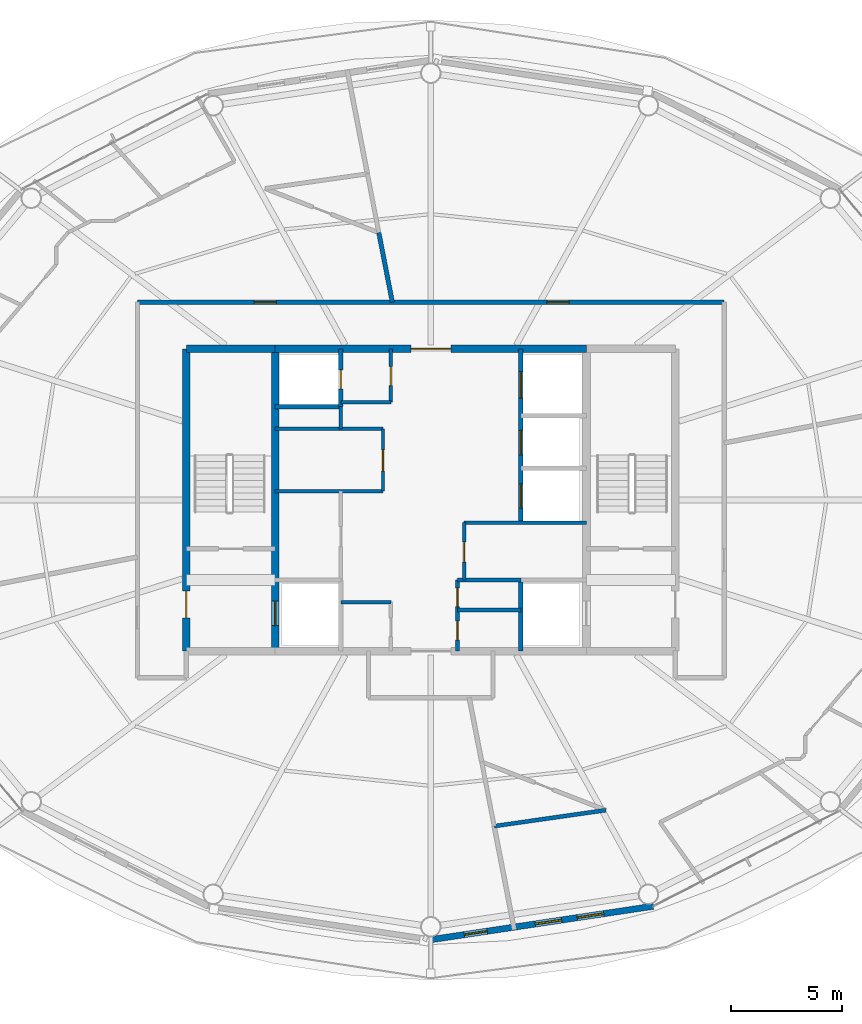
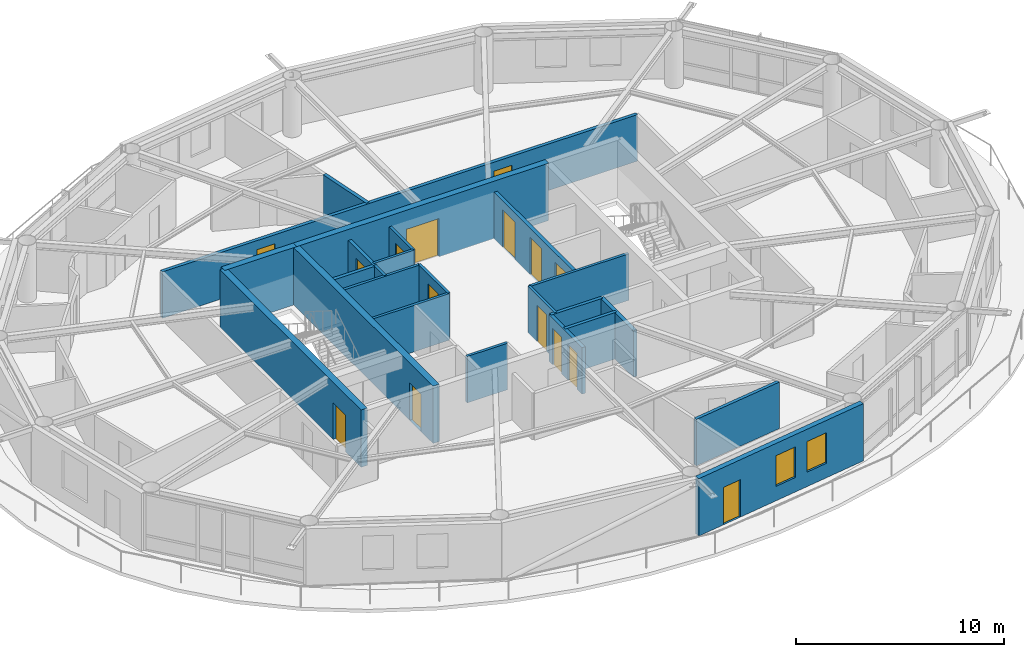
# One storey, part 16 of 21: 24 walls, 15 doors, 2 windows, 17 openings.
"""IFC4 building model written with IfcOpenShell, lengths in metres."""

from ifc_helpers import new_model, si_unit, direction, frame, frame_2d, origin, place, context, subcontext, project, spatial, rectangle, extrude, material, layer, layer_set, type_object, element, fill, save


model = new_model("IFC4")

# Units and contexts
model_context = context("Model", 3, precision=1e-05, world=origin(), true_north=direction((0.0, 1.0)))
body_context = subcontext(model_context, "Body", "Model", "MODEL_VIEW")
ifc_project = project(units=[si_unit("LENGTHUNIT", "METRE"), si_unit("AREAUNIT", "SQUARE_METRE"), si_unit("VOLUMEUNIT", "CUBIC_METRE"), si_unit("PLANEANGLEUNIT", "RADIAN"), si_unit("MASSUNIT", "GRAM", prefix="KILO")], contexts=[model_context])

# Site, building, storey
site_placement = place(None, origin())
site = spatial("IfcSite", under=ifc_project, at=site_placement, CompositionType="ELEMENT")
building_placement = place(site_placement, origin())
building = spatial("IfcBuilding", under=site, at=building_placement, Name="Sarneth Arch Tower", CompositionType="ELEMENT")
storey_placement = place(building_placement, frame((0.0, 0.0, 309.0)))
storey = spatial("IfcBuildingStorey", under=building, at=storey_placement, Name="L80", CompositionType="ELEMENT", Elevation=309.0)

# Wall
ifc_material_1 = material(Name="Concrete C50/60", Category="concrete")
ifc_layer_1 = layer(ifc_material_1, 0.35009765625)
ifc_layer_set_1 = layer_set([ifc_layer_1], Name="Concrete C50/60")
wall_type_1 = type_object("IfcWallType", Name="WALL-CORE-350", PredefinedType="SHEAR", material=ifc_layer_set_1)
wall_1_placement = place(storey_placement, frame((37.0, 48.800048828125, 0.0), z_axis=(0.0, 0.0, 1.0), x_axis=(1.0, 0.0, 0.0)))
element("IfcWall", 1, at=wall_1_placement, inside=storey, type_object=wall_type_1, Name="L80 Core shear wall N-W", PredefinedType="SHEAR", context=body_context, shape_type="SweptSolid", body=[
    extrude(rectangle(XDim=4.0, YDim=0.35009765625, at=frame_2d((2.0, 0.0))), origin(), (0.0, 0.0, 1.0), 3.3701171875),
])

# Wall, opening, door
wall_2_placement = place(storey_placement, frame((41.0, 48.800048828125, 0.0), z_axis=(0.0, 0.0, 1.0), x_axis=(1.0, 0.0, 0.0)))
wall_2 = element("IfcWall", 2, at=wall_2_placement, inside=storey, type_object=wall_type_1, Name="L80 Core shear wall N-M", PredefinedType="SHEAR", context=body_context, shape_type="SweptSolid", body=[
    extrude(rectangle(XDim=14.0, YDim=0.35009765625, at=frame_2d((7.0, 0.0))), origin(), (0.0, 0.0, 1.0), 3.3701171875),
])
opening_1_placement = place(wall_2_placement, frame((6.10009765625, 0.0, 0.0)))
opening_1 = element("IfcOpeningElement", 3, at=opening_1_placement, cuts=wall_2, Name="Opening FD-01", PredefinedType="OPENING", context=body_context, shape_type="SweptSolid", body=[
    extrude(rectangle(XDim=1.800048828125, YDim=2.25, at=frame_2d((0.89990234375, 1.125))), frame((0.0, 0.18505859375, 0.0), z_axis=(0.0, -1.0, 0.0), x_axis=(1.0, 0.0, 0.0)), (0.0, 0.0, 1.0), 0.3701171875),
])
ifc_material_2 = material(Name="Galvanised Steel S275 fire door set", Category="steel")
door_type_1 = type_object("IfcDoorType", Name="DR-FD90-1800", OperationType="DOUBLE_DOOR_SINGLE_SWING", PredefinedType="DOOR", material=ifc_material_2)
door_1_placement = place(opening_1_placement, origin())
door_1 = element("IfcDoor", 4, at=door_1_placement, inside=storey, type_object=door_type_1, Name="L80 Central lift lobby north door", OperationType="DOUBLE_DOOR_SINGLE_SWING", OverallHeight=2.25, OverallWidth=1.800048828125, PredefinedType="DOOR", context=body_context, shape_type="SweptSolid", body=[
    extrude(rectangle(XDim=1.800048828125, YDim=2.25, at=frame_2d((0.89990234375, 1.125))), frame((0.0, 0.02490234375, 0.0), z_axis=(0.0, -1.0, 0.0), x_axis=(1.0, 0.0, 0.0)), (0.0, 0.0, 1.0), 0.050048828125),
])
fill(opening_1, door_1)

wall_3_placement = place(storey_placement, frame((37.0, 35.199951171875, 0.0), z_axis=(0.0, 0.0, 1.0), x_axis=(0.0, 1.0, 0.0)))
wall_3 = element("IfcWall", 5, at=wall_3_placement, inside=storey, type_object=wall_type_1, Name="L80 Core shear wall W", PredefinedType="SHEAR", context=body_context, shape_type="SweptSolid", body=[
    extrude(rectangle(XDim=13.60009765625, YDim=0.35009765625, at=frame_2d((6.800048828125, 0.0))), origin(), (0.0, 0.0, 1.0), 3.3701171875),
])
opening_2_placement = place(wall_3_placement, frame((1.5, 0.0, 0.0)))
opening_2 = element("IfcOpeningElement", 6, at=opening_2_placement, cuts=wall_3, Name="Opening FD-02", PredefinedType="OPENING", context=body_context, shape_type="SweptSolid", body=[
    extrude(rectangle(XDim=1.199951171875, YDim=2.14990234375, at=frame_2d((0.60009765625, 1.074951171875))), frame((0.0, 0.18505859375, 0.0), z_axis=(0.0, -1.0, 0.0), x_axis=(1.0, 0.0, 0.0)), (0.0, 0.0, 1.0), 0.3701171875),
])
ifc_material_3 = material(Name="Galvanised Steel S275 fire door set", Category="steel")
door_type_2 = type_object("IfcDoorType", Name="DR-FD90-1200", OperationType="SINGLE_SWING_LEFT", PredefinedType="DOOR", material=ifc_material_3)
door_2_placement = place(opening_2_placement, origin())
door_2 = element("IfcDoor", 7, at=door_2_placement, inside=storey, type_object=door_type_2, Name="L80 Firefighting lobby 1 exit door", OperationType="SINGLE_SWING_LEFT", OverallHeight=2.14990234375, OverallWidth=1.199951171875, PredefinedType="DOOR", context=body_context, shape_type="SweptSolid", body=[
    extrude(rectangle(XDim=1.199951171875, YDim=2.14990234375, at=frame_2d((0.60009765625, 1.074951171875))), frame((0.0, 0.02490234375, 0.0), z_axis=(0.0, -1.0, 0.0), x_axis=(1.0, 0.0, 0.0)), (0.0, 0.0, 1.0), 0.050048828125),
])
fill(opening_2, door_2)

wall_4_placement = place(storey_placement, frame((41.0, 35.199951171875, 0.0), z_axis=(0.0, 0.0, 1.0), x_axis=(0.0, 1.0, 0.0)))
wall_4 = element("IfcWall", 8, at=wall_4_placement, inside=storey, type_object=wall_type_1, Name="L80 Core shear wall WEB-W", PredefinedType="SHEAR", context=body_context, shape_type="SweptSolid", body=[
    extrude(rectangle(XDim=13.60009765625, YDim=0.35009765625, at=frame_2d((6.800048828125, 0.0))), origin(), (0.0, 0.0, 1.0), 3.3701171875),
])
opening_3_placement = place(wall_4_placement, frame((1.14990234375, 0.0, 0.0)))
opening_3 = element("IfcOpeningElement", 9, at=opening_3_placement, cuts=wall_4, Name="Opening LD-1", PredefinedType="OPENING", context=body_context, shape_type="SweptSolid", body=[
    extrude(rectangle(XDim=1.10009765625, YDim=2.199951171875, at=frame_2d((0.550048828125, 1.10009765625))), frame((0.0, 0.18505859375, 0.0), z_axis=(0.0, -1.0, 0.0), x_axis=(1.0, 0.0, 0.0)), (0.0, 0.0, 1.0), 0.3701171875),
])
ifc_material_4 = material(Name="Brushed Stainless Steel 304 lift landing door", Category="steel")
door_type_3 = type_object("IfcDoorType", Name="DR-LIFT-SLIDE-1100", OperationType="SLIDING_TO_LEFT", PredefinedType="DOOR", material=ifc_material_4)
door_3_placement = place(opening_3_placement, origin())
door_3 = element("IfcDoor", 10, at=door_3_placement, inside=storey, type_object=door_type_3, Name="L80 Firefighting lift landing door FL-1", OperationType="SLIDING_TO_LEFT", OverallHeight=2.199951171875, OverallWidth=1.10009765625, PredefinedType="DOOR", context=body_context, shape_type="SweptSolid", body=[
    extrude(rectangle(XDim=1.10009765625, YDim=2.199951171875, at=frame_2d((0.550048828125, 1.10009765625))), frame((0.0, 0.02490234375, 0.0), z_axis=(0.0, -1.0, 0.0), x_axis=(1.0, 0.0, 0.0)), (0.0, 0.0, 1.0), 0.050048828125),
])
fill(opening_3, door_3)

# Wall, openings, doors
ifc_material_5 = material(Name="Double steel-stud corridor fire wall", Category="steel")
ifc_layer_2 = layer(ifc_material_5, 0.18994140625)
ifc_layer_set_2 = layer_set([ifc_layer_2], Name="Double steel-stud corridor fire wall")
wall_type_2 = type_object("IfcWallType", Name="WALL-CORR-190", PredefinedType="PARTITIONING", material=ifc_layer_set_2)
wall_5_placement = place(storey_placement, frame((34.800048828125, 50.89990234375, 0.0), z_axis=(0.0, 0.0, 1.0), x_axis=(1.0, 0.0, 0.0)))
wall_5 = element("IfcWall", 11, at=wall_5_placement, inside=storey, type_object=wall_type_2, Name="L80 Interior partition W-L80-TP-001", PredefinedType="PARTITIONING", context=body_context, shape_type="SweptSolid", body=[
    extrude(rectangle(XDim=26.39990234375, YDim=0.18994140625, at=frame_2d((13.199951171875, 0.0))), origin(), (0.0, 0.0, 1.0), 2.72998046875),
])
opening_4_placement = place(wall_5_placement, frame((18.418701171875, 0.0, 0.0)))
opening_4 = element("IfcOpeningElement", 12, at=opening_4_placement, cuts=wall_5, Name="Opening FD-08", PredefinedType="OPENING", context=body_context, shape_type="SweptSolid", body=[
    extrude(rectangle(XDim=1.0, YDim=2.199951171875, at=frame_2d((0.5, 1.10009765625))), frame((0.0, 0.10498046875, 0.0), z_axis=(0.0, -1.0, 0.0), x_axis=(1.0, 0.0, 0.0)), (0.0, 0.0, 1.0), 0.2099609375),
])
opening_5_placement = place(wall_5_placement, frame((5.251220703125, 0.0, 0.0)))
opening_5 = element("IfcOpeningElement", 13, at=opening_5_placement, cuts=wall_5, Name="Opening FD-08", PredefinedType="OPENING", context=body_context, shape_type="SweptSolid", body=[
    extrude(rectangle(XDim=1.0, YDim=2.199951171875, at=frame_2d((0.5, 1.10009765625))), frame((0.0, 0.10498046875, 0.0), z_axis=(0.0, -1.0, 0.0), x_axis=(1.0, 0.0, 0.0)), (0.0, 0.0, 1.0), 0.2099609375),
])
ifc_material_6 = material(Name="Hardwood timber acoustic fire door", Category="wood")
door_type_4 = type_object("IfcDoorType", Name="DR-FD60-1000", OperationType="SINGLE_SWING_LEFT", PredefinedType="DOOR", material=ifc_material_6)
door_4_placement = place(opening_4_placement, origin())
door_4 = element("IfcDoor", 14, at=door_4_placement, inside=storey, type_object=door_type_4, Name="L80 Interior door DR-L80-RAMN-01", OperationType="SINGLE_SWING_LEFT", OverallHeight=2.199951171875, OverallWidth=1.0, PredefinedType="DOOR", context=body_context, shape_type="SweptSolid", body=[
    extrude(rectangle(XDim=1.0, YDim=2.199951171875, at=frame_2d((0.5, 1.10009765625))), frame((0.0, 0.02490234375, 0.0), z_axis=(0.0, -1.0, 0.0), x_axis=(1.0, 0.0, 0.0)), (0.0, 0.0, 1.0), 0.050048828125),
])
fill(opening_4, door_4)
door_5_placement = place(opening_5_placement, origin())
door_5 = element("IfcDoor", 15, at=door_5_placement, inside=storey, type_object=door_type_4, Name="L80 Interior door DR-L80-U2-ENT", OperationType="SINGLE_SWING_LEFT", OverallHeight=2.199951171875, OverallWidth=1.0, PredefinedType="DOOR", context=body_context, shape_type="SweptSolid", body=[
    extrude(rectangle(XDim=1.0, YDim=2.199951171875, at=frame_2d((0.5, 1.10009765625))), frame((0.0, 0.02490234375, 0.0), z_axis=(0.0, -1.0, 0.0), x_axis=(1.0, 0.0, 0.0)), (0.0, 0.0, 1.0), 0.050048828125),
])
fill(opening_5, door_5)

# Wall, openings, door, windows
ifc_material_7 = material(Name="Extruded terracotta rainscreen on Concrete C40/50 backing", Category="masonry")
ifc_layer_3 = layer(ifc_material_7, 0.280029296875)
ifc_layer_set_3 = layer_set([ifc_layer_3], Name="Extruded terracotta rainscreen on Concrete C40/50 backing")
wall_type_3 = type_object("IfcWallType", Name="WALL-EXT-TERRA-280", PredefinedType="SOLIDWALL", material=ifc_layer_set_3)
wall_6_placement = place(storey_placement, frame((48.0, 22.219970703125, 0.0), z_axis=(0.0, 0.0, 1.0), x_axis=(0.988882522213, 0.148698881169, 0.0)))
wall_6 = element("IfcWall", 16, at=wall_6_placement, inside=storey, type_object=wall_type_3, Name="L80 Terracotta perimeter wall 13", PredefinedType="SOLIDWALL", context=body_context, shape_type="SweptSolid", body=[
    extrude(rectangle(XDim=10.125244140625, YDim=0.280029296875, at=frame_2d((5.0625, 0.0))), origin(), (0.0, 0.0, 1.0), 3.3701171875),
])
opening_6_placement = place(wall_6_placement, frame((1.51611328125, 0.0, 0.0)))
opening_6 = element("IfcOpeningElement", 17, at=opening_6_placement, cuts=wall_6, Name="Opening BD-4", PredefinedType="OPENING", context=body_context, shape_type="SweptSolid", body=[
    extrude(rectangle(XDim=1.050048828125, YDim=2.199951171875, at=frame_2d((0.52490234375, 1.10009765625))), frame((0.0, 0.14990234375, 0.0), z_axis=(0.0, -1.0, 0.0), x_axis=(1.0, 0.0, 0.0)), (0.0, 0.0, 1.0), 0.300048828125),
])
opening_7_placement = place(wall_6_placement, frame((4.750244140625, 0.0, 0.85009765625)))
opening_7 = element("IfcOpeningElement", 18, at=opening_7_placement, cuts=wall_6, Name="Opening W-09", PredefinedType="OPENING", context=body_context, shape_type="SweptSolid", body=[
    extrude(rectangle(XDim=1.199951171875, YDim=1.800048828125, at=frame_2d((0.60009765625, 0.89990234375))), frame((0.0, 0.14990234375, 0.0), z_axis=(0.0, -1.0, 0.0), x_axis=(1.0, 0.0, 0.0)), (0.0, 0.0, 1.0), 0.300048828125),
])
opening_8_placement = place(wall_6_placement, frame((6.66796875, 0.0, 0.85009765625)))
opening_8 = element("IfcOpeningElement", 19, at=opening_8_placement, cuts=wall_6, Name="Opening W-09", PredefinedType="OPENING", context=body_context, shape_type="SweptSolid", body=[
    extrude(rectangle(XDim=1.199951171875, YDim=1.800048828125, at=frame_2d((0.60009765625, 0.89990234375))), frame((0.0, 0.14990234375, 0.0), z_axis=(0.0, -1.0, 0.0), x_axis=(1.0, 0.0, 0.0)), (0.0, 0.0, 1.0), 0.300048828125),
])
ifc_material_8 = material(Name="Thermally broken Aluminium 6063-T6 and laminated safety glass", Category="aluminium")
door_type_5 = type_object("IfcDoorType", Name="DR-BALC-GLZ-1050", OperationType="SINGLE_SWING_RIGHT", PredefinedType="DOOR", material=ifc_material_8)
door_6_placement = place(opening_6_placement, origin())
door_6 = element("IfcDoor", 20, at=door_6_placement, inside=storey, type_object=door_type_5, Name="L80 Balcony glazed door 13", OperationType="SINGLE_SWING_RIGHT", OverallHeight=2.199951171875, OverallWidth=1.050048828125, PredefinedType="DOOR", context=body_context, shape_type="SweptSolid", body=[
    extrude(rectangle(XDim=1.050048828125, YDim=2.199951171875, at=frame_2d((0.52490234375, 1.10009765625))), frame((0.0, 0.02490234375, 0.0), z_axis=(0.0, -1.0, 0.0), x_axis=(1.0, 0.0, 0.0)), (0.0, 0.0, 1.0), 0.050048828125),
])
fill(opening_6, door_6)
ifc_material_9 = material(Name="Thermally broken Aluminium 6063-T6 and low-e laminated IGU", Category="aluminium")
window_type = type_object("IfcWindowType", Name="WIN-TWR-1200x1800", PartitioningType="SINGLE_PANEL", PredefinedType="WINDOW", material=ifc_material_9)
window_1_placement = place(opening_7_placement, origin())
window_1 = element("IfcWindow", 21, at=window_1_placement, inside=storey, type_object=window_type, Name="L80 Exterior window 13A", OverallHeight=1.800048828125, OverallWidth=1.199951171875, PartitioningType="SINGLE_PANEL", PredefinedType="WINDOW", context=body_context, shape_type="SweptSolid", body=[
    extrude(rectangle(XDim=1.199951171875, YDim=1.800048828125, at=frame_2d((0.60009765625, 0.89990234375))), frame((0.0, 0.030029296875, 0.0), z_axis=(0.0, -1.0, 0.0), x_axis=(1.0, 0.0, 0.0)), (0.0, 0.0, 1.0), 0.06005859375),
])
fill(opening_7, window_1)
window_2_placement = place(opening_8_placement, origin())
window_2 = element("IfcWindow", 22, at=window_2_placement, inside=storey, type_object=window_type, Name="L80 Exterior window 13B", OverallHeight=1.800048828125, OverallWidth=1.199951171875, PartitioningType="SINGLE_PANEL", PredefinedType="WINDOW", context=body_context, shape_type="SweptSolid", body=[
    extrude(rectangle(XDim=1.199951171875, YDim=1.800048828125, at=frame_2d((0.60009765625, 0.89990234375))), frame((0.0, 0.030029296875, 0.0), z_axis=(0.0, -1.0, 0.0), x_axis=(1.0, 0.0, 0.0)), (0.0, 0.0, 1.0), 0.06005859375),
])
fill(opening_8, window_2)

# Walls
ifc_material_10 = material(Name="Acoustic gypsum stud partition", Category="gypsum")
ifc_layer_4 = layer(ifc_material_10, 0.14990234375)
ifc_layer_set_4 = layer_set([ifc_layer_4], Name="Acoustic gypsum stud partition")
wall_type_4 = type_object("IfcWallType", Name="WALL-PART-150", PredefinedType="PARTITIONING", material=ifc_layer_set_4)
for number, where, z_axis, x_axis, name in (
    (23, (41.0, 42.39990234375, 0.0), (0.0, 0.0, 1.0), (1.0, 0.0, 0.0), "L80 Interior partition W-L80-RECPM1-S"),
    (24, (41.0, 45.199951171875, 0.0), (0.0, 0.0, 1.0), (1.0, 0.0, 0.0), "L80 Interior partition W-L80-RECPM1-N"),
):
    element("IfcWall", number, at=place(storey_placement, frame(where, z_axis=z_axis, x_axis=x_axis)), inside=storey, type_object=wall_type_4, Name=name, PredefinedType="PARTITIONING", context=body_context, shape_type="SweptSolid", body=[
        extrude(rectangle(XDim=4.85009765625, YDim=0.14990234375, at=frame_2d((2.425048828125, 0.0))), origin(), (0.0, 0.0, 1.0), 2.72998046875),
    ])
wall_7_placement = place(storey_placement, frame((43.949951171875, 45.199951171875, 0.0), z_axis=(0.0, 0.0, 1.0), x_axis=(0.0, 1.0, 0.0)))
element("IfcWall", 25, at=wall_7_placement, inside=storey, type_object=wall_type_4, Name="L80 Interior partition W-L80-RECPM1-W2", PredefinedType="PARTITIONING", context=body_context, shape_type="SweptSolid", body=[
    extrude(rectangle(XDim=1.0, YDim=0.14990234375, at=frame_2d((0.5, 0.0))), origin(), (0.0, 0.0, 1.0), 2.72998046875),
])

# Wall, opening, door
wall_8_placement = place(storey_placement, frame((45.85009765625, 42.39990234375, 0.0), z_axis=(0.0, 0.0, 1.0), x_axis=(0.0, 1.0, 0.0)))
wall_8 = element("IfcWall", 26, at=wall_8_placement, inside=storey, type_object=wall_type_4, Name="L80 Interior partition W-L80-RECPM1-E", PredefinedType="PARTITIONING", context=body_context, shape_type="SweptSolid", body=[
    extrude(rectangle(XDim=2.800048828125, YDim=0.14990234375, at=frame_2d((1.39990234375, 0.0))), origin(), (0.0, 0.0, 1.0), 2.72998046875),
])
opening_9_placement = place(wall_8_placement, frame((0.89990234375, 0.0, 0.0)))
opening_9 = element("IfcOpeningElement", 27, at=opening_9_placement, cuts=wall_8, Name="Opening FD-09", PredefinedType="OPENING", context=body_context, shape_type="SweptSolid", body=[
    extrude(rectangle(XDim=0.949951171875, YDim=2.14990234375, at=frame_2d((0.47509765625, 1.074951171875))), frame((0.0, 0.0849609375, 0.0), z_axis=(0.0, -1.0, 0.0), x_axis=(1.0, 0.0, 0.0)), (0.0, 0.0, 1.0), 0.169921875),
])
ifc_material_11 = material(Name="Hardwood timber hotel entrance fire door", Category="wood")
door_type_6 = type_object("IfcDoorType", Name="DR-FD60-950", OperationType="SINGLE_SWING_RIGHT", PredefinedType="DOOR", material=ifc_material_11)
door_7_placement = place(opening_9_placement, origin())
door_7 = element("IfcDoor", 28, at=door_7_placement, inside=storey, type_object=door_type_6, Name="L80 Interior door DR-L80-RECPM1", OperationType="SINGLE_SWING_RIGHT", OverallHeight=2.14990234375, OverallWidth=0.949951171875, PredefinedType="DOOR", context=body_context, shape_type="SweptSolid", body=[
    extrude(rectangle(XDim=0.949951171875, YDim=2.14990234375, at=frame_2d((0.47509765625, 1.074951171875))), frame((0.0, 0.02490234375, 0.0), z_axis=(0.0, -1.0, 0.0), x_axis=(1.0, 0.0, 0.0)), (0.0, 0.0, 1.0), 0.050048828125),
])
fill(opening_9, door_7)

# Wall
wall_9_placement = place(storey_placement, frame((49.5, 40.97998046875, 0.0), z_axis=(0.0, 0.0, 1.0), x_axis=(1.0, 0.0, 0.0)))
element("IfcWall", 29, at=wall_9_placement, inside=storey, type_object=wall_type_4, Name="L80 Interior partition W-L80-RECPM2-N", PredefinedType="PARTITIONING", context=body_context, shape_type="SweptSolid", body=[
    extrude(rectangle(XDim=5.5, YDim=0.14990234375, at=frame_2d((2.75, 0.0))), origin(), (0.0, 0.0, 1.0), 2.72998046875),
])

# Wall, opening, door
wall_10_placement = place(storey_placement, frame((49.5, 38.39990234375, 0.0), z_axis=(0.0, 0.0, 1.0), x_axis=(0.0, 1.0, 0.0)))
wall_10 = element("IfcWall", 30, at=wall_10_placement, inside=storey, type_object=wall_type_4, Name="L80 Interior partition W-L80-RECPM2-W", PredefinedType="PARTITIONING", context=body_context, shape_type="SweptSolid", body=[
    extrude(rectangle(XDim=2.580078125, YDim=0.14990234375, at=frame_2d((1.2900390625, 0.0))), origin(), (0.0, 0.0, 1.0), 2.72998046875),
])
opening_10_placement = place(wall_10_placement, frame((0.800048828125, 0.0, 0.0)))
opening_10 = element("IfcOpeningElement", 31, at=opening_10_placement, cuts=wall_10, Name="Opening FD-10", PredefinedType="OPENING", context=body_context, shape_type="SweptSolid", body=[
    extrude(rectangle(XDim=0.89990234375, YDim=2.14990234375, at=frame_2d((0.449951171875, 1.074951171875))), frame((0.0, 0.0849609375, 0.0), z_axis=(0.0, -1.0, 0.0), x_axis=(1.0, 0.0, 0.0)), (0.0, 0.0, 1.0), 0.169921875),
])
ifc_material_12 = material(Name="Galvanised Steel S275 riser/service fire door", Category="steel")
door_type_7 = type_object("IfcDoorType", Name="DR-FD60-900", OperationType="SINGLE_SWING_LEFT", PredefinedType="DOOR", material=ifc_material_12)
door_8_placement = place(opening_10_placement, origin())
door_8 = element("IfcDoor", 32, at=door_8_placement, inside=storey, type_object=door_type_7, Name="L80 Interior door DR-L80-RECPM2", OperationType="SINGLE_SWING_LEFT", OverallHeight=2.14990234375, OverallWidth=0.89990234375, PredefinedType="DOOR", context=body_context, shape_type="SweptSolid", body=[
    extrude(rectangle(XDim=0.89990234375, YDim=2.14990234375, at=frame_2d((0.449951171875, 1.074951171875))), frame((0.0, 0.02490234375, 0.0), z_axis=(0.0, -1.0, 0.0), x_axis=(1.0, 0.0, 0.0)), (0.0, 0.0, 1.0), 0.050048828125),
])
fill(opening_10, door_8)

# Walls
for number, where, z_axis, x_axis, name in (
    (33, (43.949951171875, 37.39990234375, 0.0), (0.0, 0.0, 1.0), (1.0, 0.0, 0.0), "L80 Interior partition W-L80-CSUP1-N"),
    (34, (43.949951171875, 46.39990234375, 0.0), (0.0, 0.0, 1.0), (1.0, 0.0, 0.0), "L80 Interior partition W-L80-CSUP2-S"),
):
    element("IfcWall", number, at=place(storey_placement, frame(where, z_axis=z_axis, x_axis=x_axis)), inside=storey, type_object=wall_type_4, Name=name, PredefinedType="PARTITIONING", context=body_context, shape_type="SweptSolid", body=[
        extrude(rectangle(XDim=2.25, YDim=0.14990234375, at=frame_2d((1.125, 0.0))), origin(), (0.0, 0.0, 1.0), 2.72998046875),
    ])

# Wall, opening, door
wall_11_placement = place(storey_placement, frame((46.199951171875, 46.39990234375, 0.0), z_axis=(0.0, 0.0, 1.0), x_axis=(0.0, 1.0, 0.0)))
wall_11 = element("IfcWall", 35, at=wall_11_placement, inside=storey, type_object=wall_type_4, Name="L80 Interior partition W-L80-CSUP2-E", PredefinedType="PARTITIONING", context=body_context, shape_type="SweptSolid", body=[
    extrude(rectangle(XDim=2.400146484375, YDim=0.14990234375, at=frame_2d((1.2001953125, 0.0))), origin(), (0.0, 0.0, 1.0), 2.72998046875),
])
opening_11_placement = place(wall_11_placement, frame((0.75, 0.0, 0.0)))
opening_11 = element("IfcOpeningElement", 36, at=opening_11_placement, cuts=wall_11, Name="Opening FD-11", PredefinedType="OPENING", context=body_context, shape_type="SweptSolid", body=[
    extrude(rectangle(XDim=0.85009765625, YDim=2.14990234375, at=frame_2d((0.425048828125, 1.074951171875))), frame((0.0, 0.0849609375, 0.0), z_axis=(0.0, -1.0, 0.0), x_axis=(1.0, 0.0, 0.0)), (0.0, 0.0, 1.0), 0.169921875),
])
ifc_material_13 = material(Name="Galvanised Steel S275 closet fire door", Category="steel")
door_type_8 = type_object("IfcDoorType", Name="DR-FD60-850", OperationType="SINGLE_SWING_LEFT", PredefinedType="DOOR", material=ifc_material_13)
door_9_placement = place(opening_11_placement, origin())
door_9 = element("IfcDoor", 37, at=door_9_placement, inside=storey, type_object=door_type_8, Name="L80 Interior door DR-L80-CSUP2", OperationType="SINGLE_SWING_RIGHT", OverallHeight=2.14990234375, OverallWidth=0.85009765625, PredefinedType="DOOR", context=body_context, shape_type="SweptSolid", body=[
    extrude(rectangle(XDim=0.85009765625, YDim=2.14990234375, at=frame_2d((0.425048828125, 1.074951171875))), frame((0.0, 0.02490234375, 0.0), z_axis=(0.0, -1.0, 0.0), x_axis=(1.0, 0.0, 0.0)), (0.0, 0.0, 1.0), 0.050048828125),
])
fill(opening_11, door_9)

# Walls
ifc_material_14 = material(Name="Moisture-resistant plumbing chase wall", Category="gypsum")
ifc_layer_5 = layer(ifc_material_14, 0.179931640625)
ifc_layer_set_5 = layer_set([ifc_layer_5], Name="Moisture-resistant plumbing chase wall")
wall_type_5 = type_object("IfcWallType", Name="WALL-PLUMB-180", PredefinedType="PLUMBINGWALL", material=ifc_layer_set_5)
for number, where, z_axis, x_axis, name in (
    (38, (49.199951171875, 37.050048828125, 0.0), (0.0, 0.0, 1.0), (1.0, 0.0, 0.0), "L80 Interior partition W-L80-AWC-M"),
    (39, (49.199951171875, 38.39990234375, 0.0), (0.0, 0.0, 1.0), (1.0, 0.0, 0.0), "L80 Interior partition W-L80-AWC-N"),
):
    element("IfcWall", number, at=place(storey_placement, frame(where, z_axis=z_axis, x_axis=x_axis)), inside=storey, type_object=wall_type_5, Name=name, PredefinedType="PLUMBINGWALL", context=body_context, shape_type="SweptSolid", body=[
        extrude(rectangle(XDim=2.85009765625, YDim=0.179931640625, at=frame_2d((1.425048828125, 0.0))), origin(), (0.0, 0.0, 1.0), 2.72998046875),
    ])

# Wall, openings, doors
wall_12_placement = place(storey_placement, frame((49.199951171875, 35.199951171875, 0.0), z_axis=(0.0, 0.0, 1.0), x_axis=(0.0, 1.0, 0.0)))
wall_12 = element("IfcWall", 40, at=wall_12_placement, inside=storey, type_object=wall_type_5, Name="L80 Interior partition W-L80-AWC-W", PredefinedType="PLUMBINGWALL", context=body_context, shape_type="SweptSolid", body=[
    extrude(rectangle(XDim=3.199951171875, YDim=0.179931640625, at=frame_2d((1.60009765625, 0.0))), origin(), (0.0, 0.0, 1.0), 2.72998046875),
])
opening_12_placement = place(wall_12_placement, frame((0.5, 0.0, 0.0)))
opening_12 = element("IfcOpeningElement", 41, at=opening_12_placement, cuts=wall_12, Name="Opening ID-02", PredefinedType="OPENING", context=body_context, shape_type="SweptSolid", body=[
    extrude(rectangle(XDim=0.85009765625, YDim=2.10009765625, at=frame_2d((0.425048828125, 1.050048828125))), frame((0.0, 0.099853515625, 0.0), z_axis=(0.0, -1.0, 0.0), x_axis=(1.0, 0.0, 0.0)), (0.0, 0.0, 1.0), 0.199951171875),
])
opening_13_placement = place(wall_12_placement, frame((2.0, 0.0, 0.0)))
opening_13 = element("IfcOpeningElement", 42, at=opening_13_placement, cuts=wall_12, Name="Opening FD-11", PredefinedType="OPENING", context=body_context, shape_type="SweptSolid", body=[
    extrude(rectangle(XDim=0.85009765625, YDim=2.14990234375, at=frame_2d((0.425048828125, 1.074951171875))), frame((0.0, 0.099853515625, 0.0), z_axis=(0.0, -1.0, 0.0), x_axis=(1.0, 0.0, 0.0)), (0.0, 0.0, 1.0), 0.199951171875),
])
door_10_placement = place(opening_13_placement, origin())
door_10 = element("IfcDoor", 43, at=door_10_placement, inside=storey, type_object=door_type_8, Name="L80 Interior door DR-L80-CSUP3", OperationType="SINGLE_SWING_LEFT", OverallHeight=2.14990234375, OverallWidth=0.85009765625, PredefinedType="DOOR", context=body_context, shape_type="SweptSolid", body=[
    extrude(rectangle(XDim=0.85009765625, YDim=2.14990234375, at=frame_2d((0.425048828125, 1.074951171875))), frame((0.0, 0.02490234375, 0.0), z_axis=(0.0, -1.0, 0.0), x_axis=(1.0, 0.0, 0.0)), (0.0, 0.0, 1.0), 0.050048828125),
])
fill(opening_13, door_10)
ifc_material_15 = material(Name="Moisture-resistant bathroom timber door", Category="wood")
door_type_9 = type_object("IfcDoorType", Name="DR-INT-850", OperationType="SINGLE_SWING_RIGHT", PredefinedType="DOOR", material=ifc_material_15)
door_11_placement = place(opening_12_placement, origin())
door_11 = element("IfcDoor", 44, at=door_11_placement, inside=storey, type_object=door_type_9, Name="L80 Interior door DR-L80-AWC", OperationType="SINGLE_SWING_RIGHT", OverallHeight=2.10009765625, OverallWidth=0.85009765625, PredefinedType="DOOR", context=body_context, shape_type="SweptSolid", body=[
    extrude(rectangle(XDim=0.85009765625, YDim=2.10009765625, at=frame_2d((0.425048828125, 1.050048828125))), frame((0.0, 0.02490234375, 0.0), z_axis=(0.0, -1.0, 0.0), x_axis=(1.0, 0.0, 0.0)), (0.0, 0.0, 1.0), 0.050048828125),
])
fill(opening_12, door_11)

# Walls
wall_13_placement = place(storey_placement, frame((55.875, 28.046630859375, 0.0), z_axis=(0.0, 0.0, 1.0), x_axis=(-0.989917714359, -0.141643633102, 0.0)))
element("IfcWall", 45, at=wall_13_placement, inside=storey, type_object=wall_type_5, Name="L80 Interior partition W-L80-TP-047", PredefinedType="PLUMBINGWALL", context=body_context, shape_type="SweptSolid", body=[
    extrude(rectangle(XDim=5.074462890625, YDim=0.179931640625, at=frame_2d((2.537109375, 0.0))), origin(), (0.0, 0.0, 1.0), 2.72998046875),
])
ifc_material_16 = material(Name="Aerated concrete blockwork C25/30", Category="masonry")
ifc_layer_6 = layer(ifc_material_16, 0.199951171875)
ifc_layer_set_6 = layer_set([ifc_layer_6], Name="Aerated concrete blockwork C25/30")
wall_type_6 = type_object("IfcWallType", Name="WALL-SHAFT-200", PredefinedType="SOLIDWALL", material=ifc_layer_set_6)
wall_14_placement = place(storey_placement, frame((52.050048828125, 35.199951171875, 0.0), z_axis=(0.0, 0.0, 1.0), x_axis=(0.0, 1.0, 0.0)))
element("IfcWall", 46, at=wall_14_placement, inside=storey, type_object=wall_type_6, Name="L80 Interior partition W-L80-FL2-W", PredefinedType="SOLIDWALL", context=body_context, shape_type="SweptSolid", body=[
    extrude(rectangle(XDim=3.199951171875, YDim=0.199951171875, at=frame_2d((1.60009765625, 0.0))), origin(), (0.0, 0.0, 1.0), 2.72998046875),
])
wall_15_placement = place(storey_placement, frame((41.0, 46.199951171875, 0.0), z_axis=(0.0, 0.0, 1.0), x_axis=(1.0, 0.0, 0.0)))
element("IfcWall", 47, at=wall_15_placement, inside=storey, type_object=wall_type_6, Name="L80 Interior partition W-L80-RISER-S", PredefinedType="SOLIDWALL", context=body_context, shape_type="SweptSolid", body=[
    extrude(rectangle(XDim=2.949951171875, YDim=0.199951171875, at=frame_2d((1.47509765625, 0.0))), origin(), (0.0, 0.0, 1.0), 2.72998046875),
])

# Wall, opening, door
wall_16_placement = place(storey_placement, frame((43.949951171875, 46.199951171875, 0.0), z_axis=(0.0, 0.0, 1.0), x_axis=(0.0, 1.0, 0.0)))
wall_16 = element("IfcWall", 48, at=wall_16_placement, inside=storey, type_object=wall_type_6, Name="L80 Interior partition W-L80-RISER-E", PredefinedType="SOLIDWALL", context=body_context, shape_type="SweptSolid", body=[
    extrude(rectangle(XDim=2.60009765625, YDim=0.199951171875, at=frame_2d((1.300048828125, 0.0))), origin(), (0.0, 0.0, 1.0), 2.72998046875),
])
opening_14_placement = place(wall_16_placement, frame((0.800048828125, 0.0, 0.0)))
opening_14 = element("IfcOpeningElement", 49, at=opening_14_placement, cuts=wall_16, Name="Opening FD-11", PredefinedType="OPENING", context=body_context, shape_type="SweptSolid", body=[
    extrude(rectangle(XDim=0.85009765625, YDim=2.14990234375, at=frame_2d((0.425048828125, 1.074951171875))), frame((0.0, 0.10986328125, 0.0), z_axis=(0.0, -1.0, 0.0), x_axis=(1.0, 0.0, 0.0)), (0.0, 0.0, 1.0), 0.219970703125),
])
door_12_placement = place(opening_14_placement, origin())
door_12 = element("IfcDoor", 50, at=door_12_placement, inside=storey, type_object=door_type_8, Name="L80 Lift landing door DR-L80-RISER", OperationType="SINGLE_SWING_LEFT", OverallHeight=2.14990234375, OverallWidth=0.85009765625, PredefinedType="DOOR", context=body_context, shape_type="SweptSolid", body=[
    extrude(rectangle(XDim=0.85009765625, YDim=2.14990234375, at=frame_2d((0.425048828125, 1.074951171875))), frame((0.0, 0.02490234375, 0.0), z_axis=(0.0, -1.0, 0.0), x_axis=(1.0, 0.0, 0.0)), (0.0, 0.0, 1.0), 0.050048828125),
])
fill(opening_14, door_12)

# Wall, openings, doors
wall_17_placement = place(storey_placement, frame((52.050048828125, 40.97998046875, 0.0), z_axis=(0.0, 0.0, 1.0), x_axis=(0.0, 1.0, 0.0)))
wall_17 = element("IfcWall", 51, at=wall_17_placement, inside=storey, type_object=wall_type_6, Name="L80 Interior partition W-L80-EASTBANK-UPPER", PredefinedType="SOLIDWALL", context=body_context, shape_type="SweptSolid", body=[
    extrude(rectangle(XDim=7.820068359375, YDim=0.199951171875, at=frame_2d((3.91015625, 0.0))), origin(), (0.0, 0.0, 1.0), 2.72998046875),
])
opening_15_placement = place(wall_17_placement, frame((0.64990234375, 0.0, 0.0)))
opening_15 = element("IfcOpeningElement", 52, at=opening_15_placement, cuts=wall_17, Name="Opening LD-1", PredefinedType="OPENING", context=body_context, shape_type="SweptSolid", body=[
    extrude(rectangle(XDim=1.10009765625, YDim=2.199951171875, at=frame_2d((0.550048828125, 1.10009765625))), frame((0.0, 0.10986328125, 0.0), z_axis=(0.0, -1.0, 0.0), x_axis=(1.0, 0.0, 0.0)), (0.0, 0.0, 1.0), 0.219970703125),
])
opening_16_placement = place(wall_17_placement, frame((3.050048828125, 0.0, 0.0)))
opening_16 = element("IfcOpeningElement", 53, at=opening_16_placement, cuts=wall_17, Name="Opening LD-1", PredefinedType="OPENING", context=body_context, shape_type="SweptSolid", body=[
    extrude(rectangle(XDim=1.10009765625, YDim=2.199951171875, at=frame_2d((0.550048828125, 1.10009765625))), frame((0.0, 0.10986328125, 0.0), z_axis=(0.0, -1.0, 0.0), x_axis=(1.0, 0.0, 0.0)), (0.0, 0.0, 1.0), 0.219970703125),
])
opening_17_placement = place(wall_17_placement, frame((5.60009765625, 0.0, 0.0)))
opening_17 = element("IfcOpeningElement", 54, at=opening_17_placement, cuts=wall_17, Name="Opening LD-2", PredefinedType="OPENING", context=body_context, shape_type="SweptSolid", body=[
    extrude(rectangle(XDim=1.199951171875, YDim=2.199951171875, at=frame_2d((0.60009765625, 1.10009765625))), frame((0.0, 0.10986328125, 0.0), z_axis=(0.0, -1.0, 0.0), x_axis=(1.0, 0.0, 0.0)), (0.0, 0.0, 1.0), 0.219970703125),
])
door_13_placement = place(opening_15_placement, origin())
door_13 = element("IfcDoor", 55, at=door_13_placement, inside=storey, type_object=door_type_3, Name="L80 Lift landing door DR-L80-LD-PH1", OperationType="SLIDING_TO_RIGHT", OverallHeight=2.199951171875, OverallWidth=1.10009765625, PredefinedType="DOOR", context=body_context, shape_type="SweptSolid", body=[
    extrude(rectangle(XDim=1.10009765625, YDim=2.199951171875, at=frame_2d((0.550048828125, 1.10009765625))), frame((0.0, 0.02490234375, 0.0), z_axis=(0.0, -1.0, 0.0), x_axis=(1.0, 0.0, 0.0)), (0.0, 0.0, 1.0), 0.050048828125),
])
fill(opening_15, door_13)
door_14_placement = place(opening_16_placement, origin())
door_14 = element("IfcDoor", 56, at=door_14_placement, inside=storey, type_object=door_type_3, Name="L80 Lift landing door DR-L80-LD-PH2", OperationType="SLIDING_TO_LEFT", OverallHeight=2.199951171875, OverallWidth=1.10009765625, PredefinedType="DOOR", context=body_context, shape_type="SweptSolid", body=[
    extrude(rectangle(XDim=1.10009765625, YDim=2.199951171875, at=frame_2d((0.550048828125, 1.10009765625))), frame((0.0, 0.02490234375, 0.0), z_axis=(0.0, -1.0, 0.0), x_axis=(1.0, 0.0, 0.0)), (0.0, 0.0, 1.0), 0.050048828125),
])
fill(opening_16, door_14)
ifc_material_17 = material(Name="Brushed Stainless Steel 304 service lift door", Category="steel")
door_type_10 = type_object("IfcDoorType", Name="DR-LIFT-SLIDE-1200", OperationType="SLIDING_TO_RIGHT", PredefinedType="DOOR", material=ifc_material_17)
door_15_placement = place(opening_17_placement, origin())
door_15 = element("IfcDoor", 57, at=door_15_placement, inside=storey, type_object=door_type_10, Name="L80 Lift landing door DR-L80-LD-SL1", OperationType="SLIDING_TO_RIGHT", OverallHeight=2.199951171875, OverallWidth=1.199951171875, PredefinedType="DOOR", context=body_context, shape_type="SweptSolid", body=[
    extrude(rectangle(XDim=1.199951171875, YDim=2.199951171875, at=frame_2d((0.60009765625, 1.10009765625))), frame((0.0, 0.02490234375, 0.0), z_axis=(0.0, -1.0, 0.0), x_axis=(1.0, 0.0, 0.0)), (0.0, 0.0, 1.0), 0.050048828125),
])
fill(opening_17, door_15)

# Wall
ifc_material_18 = material(Name="Double steel-stud acoustic drywall", Category="steel")
ifc_layer_7 = layer(ifc_material_18, 0.199951171875)
ifc_layer_set_7 = layer_set([ifc_layer_7], Name="Double steel-stud acoustic drywall")
wall_type_7 = type_object("IfcWallType", Name="WALL-UNIT-200", PredefinedType="PARTITIONING", material=ifc_layer_set_7)
wall_18_placement = place(storey_placement, frame((45.66259765625, 54.0244140625, 0.0), z_axis=(0.0, 0.0, 1.0), x_axis=(0.190832705503, -0.981622574369, 0.0)))
element("IfcWall", 58, at=wall_18_placement, inside=storey, type_object=wall_type_7, Name="L80 Interior partition W-L80-TP-016", PredefinedType="PARTITIONING", context=body_context, shape_type="SweptSolid", body=[
    extrude(rectangle(XDim=3.18310546875, YDim=0.199951171875, at=frame_2d((1.591552734375, 0.0))), origin(), (0.0, 0.0, 1.0), 2.72998046875),
])

save(model, "model.ifc")
